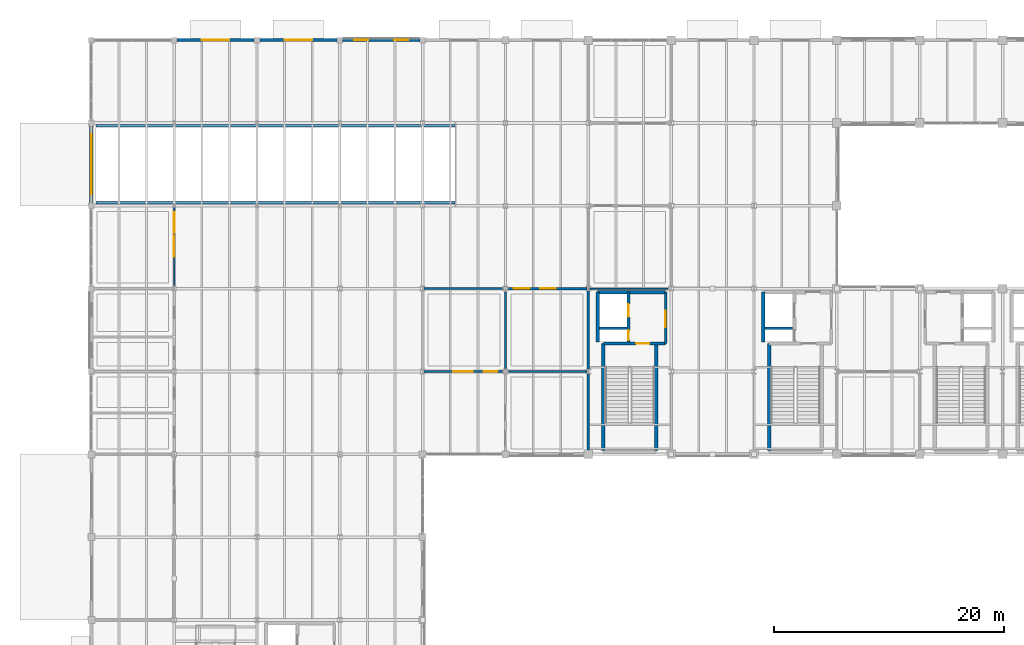
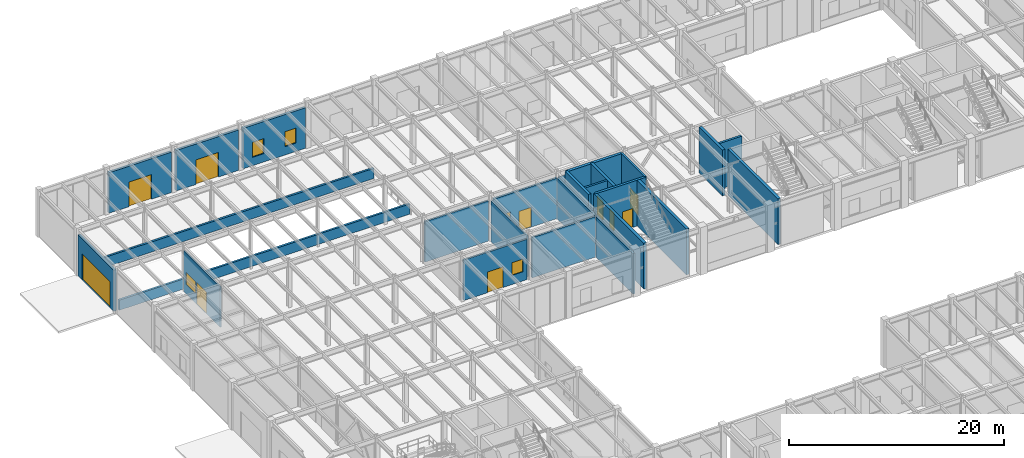
# One storey, part 40 of 97: 26 walls, 10 doors, 5 windows, 15 openings.
"""IFC4 building model written with IfcOpenShell, lengths in metres."""

from ifc_helpers import new_model, si_unit, direction, frame, frame_2d, origin, place, context, subcontext, project, spatial, rectangle, extrude, material, layer, layer_set, type_object, element, fill, save


model = new_model("IFC4")

# Units and contexts
model_context = context("Model", 3, precision=1e-05, world=origin(), true_north=direction((0.0, 1.0)))
body_context = subcontext(model_context, "Body", "Model", "MODEL_VIEW")
ifc_project = project(units=[si_unit("LENGTHUNIT", "METRE"), si_unit("AREAUNIT", "SQUARE_METRE"), si_unit("VOLUMEUNIT", "CUBIC_METRE"), si_unit("PLANEANGLEUNIT", "RADIAN"), si_unit("MASSUNIT", "GRAM", prefix="KILO")], contexts=[model_context])

# Site, building, storey
site_placement = place(None, origin())
site = spatial("IfcSite", under=ifc_project, at=site_placement, CompositionType="ELEMENT")
building_placement = place(site_placement, origin())
building = spatial("IfcBuilding", under=site, at=building_placement, Name="Sillqori Civic Hall", CompositionType="ELEMENT")
storey_placement = place(building_placement, origin())
storey = spatial("IfcBuildingStorey", under=building, at=storey_placement, Name="L01", CompositionType="ELEMENT", Elevation=0.0)

# Wall
ifc_material_1 = material(Name="Concrete C35/45 (H35)", Category="concrete")
ifc_layer_1 = layer(ifc_material_1, 0.219970703125)
ifc_layer_set_1 = layer_set([ifc_layer_1], Name="Concrete C35/45 (H35)")
wall_type_1 = type_object("IfcWallType", Name="CW-SHR-220", PredefinedType="SHEAR", material=ifc_layer_set_1)
wall_1_placement = place(storey_placement, frame((51.35009765625, 90.14990234375, 0.0), z_axis=(0.0, 0.0, 1.0), x_axis=(1.0, 0.0, 0.0)))
element("IfcWall", 1, at=wall_1_placement, inside=storey, type_object=wall_type_1, Name="L01 C5 Lift-riser divider wall", PredefinedType="SHEAR", context=body_context, shape_type="SweptSolid", body=[
    extrude(rectangle(XDim=2.39990234375, YDim=0.219970703125, at=frame_2d((1.199951171875, 0.0))), origin(), (0.0, 0.0, 1.0), 5.199951171875),
])

# Wall, opening, door
wall_2_placement = place(storey_placement, frame((57.1201171875, 93.300048828125, 0.0), z_axis=(0.0, 0.0, 1.0), x_axis=(0.0, -1.0, 0.0)))
wall_2 = element("IfcWall", 2, at=wall_2_placement, inside=storey, type_object=wall_type_1, Name="L01 C5 firefighting lobby enclosure wall", PredefinedType="SHEAR", context=body_context, shape_type="SweptSolid", body=[
    extrude(rectangle(XDim=4.449951171875, YDim=0.219970703125, at=frame_2d((2.22509765625, 0.0))), origin(), (0.0, 0.0, 1.0), 5.199951171875),
])
opening_1_placement = place(wall_2_placement, frame((1.625, 0.0, 0.0)))
opening_1 = element("IfcOpeningElement", 3, at=opening_1_placement, cuts=wall_2, Name="Opening FD-03", PredefinedType="OPENING", context=body_context, shape_type="SweptSolid", body=[
    extrude(rectangle(XDim=1.449951171875, YDim=2.199951171875, at=frame_2d((0.72509765625, 1.10009765625))), frame((0.0, 0.119873046875, 0.0), z_axis=(0.0, -1.0, 0.0), x_axis=(1.0, 0.0, 0.0)), (0.0, 0.0, 1.0), 0.239990234375),
])
ifc_material_2 = material(Name="Double-Leaf Smoke-Seal Lobby Door", Category="steel")
door_type_1 = type_object("IfcDoorType", Name="FDR-LOB-145X220", OperationType="NOTDEFINED", PredefinedType="DOOR", material=ifc_material_2)
door_1_placement = place(opening_1_placement, origin())
door_1 = element("IfcDoor", 4, at=door_1_placement, inside=storey, type_object=door_type_1, Name="L01 C5 firefighting lobby exit door", OperationType="DOUBLE_DOOR_SINGLE_SWING", OverallHeight=2.199951171875, OverallWidth=1.449951171875, PredefinedType="DOOR", context=body_context, shape_type="SweptSolid", body=[
    extrude(rectangle(XDim=1.449951171875, YDim=2.199951171875, at=frame_2d((0.72509765625, 1.10009765625))), frame((0.0, 0.02490234375, 0.0), z_axis=(0.0, -1.0, 0.0), x_axis=(1.0, 0.0, 0.0)), (0.0, 0.0, 1.0), 0.050048828125),
])
fill(opening_1, door_1)

# Wall
wall_3_placement = place(storey_placement, frame((65.75, 90.14990234375, 0.0), z_axis=(0.0, 0.0, 1.0), x_axis=(1.0, 0.0, 0.0)))
element("IfcWall", 5, at=wall_3_placement, inside=storey, type_object=wall_type_1, Name="L01 C6 Lift-riser divider wall", PredefinedType="SHEAR", context=body_context, shape_type="SweptSolid", body=[
    extrude(rectangle(XDim=2.39990234375, YDim=0.219970703125, at=frame_2d((1.199951171875, 0.0))), origin(), (0.0, 0.0, 1.0), 5.199951171875),
])

# Wall, opening, door
ifc_layer_2 = layer(ifc_material_1, 0.260009765625)
ifc_layer_set_2 = layer_set([ifc_layer_2], Name="Concrete C35/45 (H35)")
wall_type_2 = type_object("IfcWallType", Name="CW-SHR-260", PredefinedType="SHEAR", material=ifc_layer_set_2)
wall_4_placement = place(storey_placement, frame((51.7099609375, 88.85009765625, 0.0), z_axis=(0.0, 0.0, 1.0), x_axis=(1.0, 0.0, 0.0)))
wall_4 = element("IfcWall", 6, at=wall_4_placement, inside=storey, type_object=wall_type_2, Name="L01 C5 Stair-lobby fire wall", PredefinedType="SHEAR", context=body_context, shape_type="SweptSolid", body=[
    extrude(rectangle(XDim=5.41015625, YDim=0.260009765625, at=frame_2d((2.705078125, 0.0))), origin(), (0.0, 0.0, 1.0), 5.199951171875),
])
opening_2_placement = place(wall_4_placement, frame((2.840087890625, 0.0, 0.0)))
opening_2 = element("IfcOpeningElement", 7, at=opening_2_placement, cuts=wall_4, Name="Opening FD-01", PredefinedType="OPENING", context=body_context, shape_type="SweptSolid", body=[
    extrude(rectangle(XDim=1.14990234375, YDim=2.14990234375, at=frame_2d((0.574951171875, 1.074951171875))), frame((0.0, 0.139892578125, 0.0), z_axis=(0.0, -1.0, 0.0), x_axis=(1.0, 0.0, 0.0)), (0.0, 0.0, 1.0), 0.280029296875),
])
ifc_material_3 = material(Name="Galvanized Steel Fire Door FD90S", Category="steel")
door_type_2 = type_object("IfcDoorType", Name="FDR-STR-115X215", OperationType="NOTDEFINED", PredefinedType="DOOR", material=ifc_material_3)
door_2_placement = place(opening_2_placement, origin())
door_2 = element("IfcDoor", 8, at=door_2_placement, inside=storey, type_object=door_type_2, Name="L01 stair ST-05 fire door", OperationType="SINGLE_SWING_RIGHT", OverallHeight=2.14990234375, OverallWidth=1.14990234375, PredefinedType="DOOR", context=body_context, shape_type="SweptSolid", body=[
    extrude(rectangle(XDim=1.14990234375, YDim=2.14990234375, at=frame_2d((0.574951171875, 1.074951171875))), frame((0.0, 0.02490234375, 0.0), z_axis=(0.0, -1.0, 0.0), x_axis=(1.0, 0.0, 0.0)), (0.0, 0.0, 1.0), 0.050048828125),
])
fill(opening_2, door_2)

# Wall, openings, doors
wall_5_placement = place(storey_placement, frame((53.89990234375, 93.300048828125, 0.0), z_axis=(0.0, 0.0, 1.0), x_axis=(0.0, -1.0, 0.0)))
wall_5 = element("IfcWall", 9, at=wall_5_placement, inside=storey, type_object=wall_type_2, Name="L01 C5 Lift landing & riser front wall", PredefinedType="SHEAR", context=body_context, shape_type="SweptSolid", body=[
    extrude(rectangle(XDim=4.320068359375, YDim=0.260009765625, at=frame_2d((2.16015625, 0.0))), origin(), (0.0, 0.0, 1.0), 5.199951171875),
])
opening_3_placement = place(wall_5_placement, frame((1.050048828125, 0.0, 0.0)))
opening_3 = element("IfcOpeningElement", 10, at=opening_3_placement, cuts=wall_5, Name="Opening LD-01", PredefinedType="OPENING", context=body_context, shape_type="SweptSolid", body=[
    extrude(rectangle(XDim=1.10009765625, YDim=2.14990234375, at=frame_2d((0.550048828125, 1.074951171875))), frame((0.0, 0.139892578125, 0.0), z_axis=(0.0, -1.0, 0.0), x_axis=(1.0, 0.0, 0.0)), (0.0, 0.0, 1.0), 0.280029296875),
])
opening_4_placement = place(wall_5_placement, frame((3.324951171875, 0.0, 0.0)))
opening_4 = element("IfcOpeningElement", 11, at=opening_4_placement, cuts=wall_5, Name="Opening FD-05", PredefinedType="OPENING", context=body_context, shape_type="SweptSolid", body=[
    extrude(rectangle(XDim=0.85009765625, YDim=2.050048828125, at=frame_2d((0.425048828125, 1.02490234375))), frame((0.0, 0.139892578125, 0.0), z_axis=(0.0, -1.0, 0.0), x_axis=(1.0, 0.0, 0.0)), (0.0, 0.0, 1.0), 0.280029296875),
])
ifc_material_4 = material(Name="Steel Riser Access Fire Door", Category="steel")
door_type_3 = type_object("IfcDoorType", Name="FDR-RSR-085X205", OperationType="NOTDEFINED", PredefinedType="DOOR", material=ifc_material_4)
door_3_placement = place(opening_4_placement, origin())
door_3 = element("IfcDoor", 12, at=door_3_placement, inside=storey, type_object=door_type_3, Name="L01 MEP riser C5 fire access door", OperationType="SINGLE_SWING_LEFT", OverallHeight=2.050048828125, OverallWidth=0.85009765625, PredefinedType="DOOR", context=body_context, shape_type="SweptSolid", body=[
    extrude(rectangle(XDim=0.85009765625, YDim=2.050048828125, at=frame_2d((0.425048828125, 1.02490234375))), frame((0.0, 0.02490234375, 0.0), z_axis=(0.0, -1.0, 0.0), x_axis=(1.0, 0.0, 0.0)), (0.0, 0.0, 1.0), 0.050048828125),
])
fill(opening_4, door_3)
ifc_material_5 = material(Name="Stainless Steel Lift Landing Door", Category="steel")
door_type_4 = type_object("IfcDoorType", Name="LDR-PASS-110X215", OperationType="NOTDEFINED", PredefinedType="DOOR", material=ifc_material_5)
door_4_placement = place(opening_3_placement, origin())
door_4 = element("IfcDoor", 13, at=door_4_placement, inside=storey, type_object=door_type_4, Name="L01 lift LF-03 sliding landing door", OperationType="DOUBLE_DOOR_SLIDING", OverallHeight=2.14990234375, OverallWidth=1.10009765625, PredefinedType="DOOR", context=body_context, shape_type="SweptSolid", body=[
    extrude(rectangle(XDim=1.10009765625, YDim=2.14990234375, at=frame_2d((0.550048828125, 1.074951171875))), frame((0.0, 0.02490234375, 0.0), z_axis=(0.0, -1.0, 0.0), x_axis=(1.0, 0.0, 0.0)), (0.0, 0.0, 1.0), 0.050048828125),
])
fill(opening_3, door_4)

# Walls
ifc_layer_3 = layer(ifc_material_1, 0.300048828125)
ifc_layer_set_3 = layer_set([ifc_layer_3], Name="Concrete C35/45 (H35)")
wall_type_3 = type_object("IfcWallType", Name="CW-SHR-300", PredefinedType="SHEAR", material=ifc_layer_set_3)
for number, where, z_axis, x_axis, name in (
    (14, (51.7099609375, 79.550048828125, 0.0), (0.0, 0.0, 1.0), (0.0, 1.0, 0.0), "L01 C5 Stair west shear wall"),
    (15, (56.2900390625, 79.550048828125, 0.0), (0.0, 0.0, 1.0), (0.0, 1.0, 0.0), "L01 C5 Stair east shear wall"),
):
    element("IfcWall", number, at=place(storey_placement, frame(where, z_axis=z_axis, x_axis=x_axis)), inside=storey, type_object=wall_type_3, Name=name, PredefinedType="SHEAR", context=body_context, shape_type="SweptSolid", body=[
        extrude(rectangle(XDim=9.300048828125, YDim=0.300048828125, at=frame_2d((4.64990234375, 0.0))), origin(), (0.0, 0.0, 1.0), 5.199951171875),
    ])
wall_6_placement = place(storey_placement, frame((51.199951171875, 88.97998046875, 0.0), z_axis=(0.0, 0.0, 1.0), x_axis=(0.0, 1.0, 0.0)))
element("IfcWall", 16, at=wall_6_placement, inside=storey, type_object=wall_type_3, Name="L01 C5 Lift shaft west shear wall", PredefinedType="SHEAR", context=body_context, shape_type="SweptSolid", body=[
    extrude(rectangle(XDim=4.320068359375, YDim=0.300048828125, at=frame_2d((2.16015625, 0.0))), origin(), (0.0, 0.0, 1.0), 5.199951171875),
])
wall_7_placement = place(storey_placement, frame((51.199951171875, 93.300048828125, 0.0), z_axis=(0.0, 0.0, 1.0), x_axis=(1.0, 0.0, 0.0)))
element("IfcWall", 17, at=wall_7_placement, inside=storey, type_object=wall_type_3, Name="L01 C5 Core north shear wall", PredefinedType="SHEAR", context=body_context, shape_type="SweptSolid", body=[
    extrude(rectangle(XDim=5.920166015625, YDim=0.300048828125, at=frame_2d((2.9599609375, 0.0))), origin(), (0.0, 0.0, 1.0), 5.199951171875),
])
wall_8_placement = place(storey_placement, frame((66.110107421875, 79.550048828125, 0.0), z_axis=(0.0, 0.0, 1.0), x_axis=(0.0, 1.0, 0.0)))
element("IfcWall", 18, at=wall_8_placement, inside=storey, type_object=wall_type_3, Name="L01 C6 Stair west shear wall", PredefinedType="SHEAR", context=body_context, shape_type="SweptSolid", body=[
    extrude(rectangle(XDim=9.300048828125, YDim=0.300048828125, at=frame_2d((4.64990234375, 0.0))), origin(), (0.0, 0.0, 1.0), 5.199951171875),
])
wall_9_placement = place(storey_placement, frame((65.60009765625, 88.97998046875, 0.0), z_axis=(0.0, 0.0, 1.0), x_axis=(0.0, 1.0, 0.0)))
element("IfcWall", 19, at=wall_9_placement, inside=storey, type_object=wall_type_3, Name="L01 C6 Lift shaft west shear wall", PredefinedType="SHEAR", context=body_context, shape_type="SweptSolid", body=[
    extrude(rectangle(XDim=4.320068359375, YDim=0.300048828125, at=frame_2d((2.16015625, 0.0))), origin(), (0.0, 0.0, 1.0), 5.199951171875),
])

# Wall, opening, door
ifc_material_6 = material(Name="Precast concrete C40/50 (H40)", Category="concrete")
ifc_layer_4 = layer(ifc_material_6, 0.280029296875)
ifc_layer_set_4 = layer_set([ifc_layer_4], Name="Precast concrete C40/50 (H40)")
wall_type_4 = type_object("IfcWallType", Name="EW-LIME-280", PredefinedType="SOLIDWALL", material=ifc_layer_set_4)
wall_10_placement = place(storey_placement, frame((7.199951171875, 101.050048828125, 0.0), z_axis=(0.0, 0.0, 1.0), x_axis=(0.0, 1.0, 0.0)))
wall_10 = element("IfcWall", 20, at=wall_10_placement, inside=storey, type_object=wall_type_4, Name="L01 V4 exterior wall L01-01-14-W", PredefinedType="SOLIDWALL", context=body_context, shape_type="SweptSolid", body=[
    extrude(rectangle(XDim=6.699951171875, YDim=0.280029296875, at=frame_2d((3.35009765625, 0.0))), origin(), (0.0, 0.0, 1.0), 4.6669921875),
])
opening_5_placement = place(wall_10_placement, frame((0.75, 0.0, 0.0)))
opening_5 = element("IfcOpeningElement", 21, at=opening_5_placement, cuts=wall_10, Name="Opening DG-01", PredefinedType="OPENING", context=body_context, shape_type="SweptSolid", body=[
    extrude(rectangle(XDim=5.199951171875, YDim=2.949951171875, at=frame_2d((2.60009765625, 1.47509765625))), frame((0.0, 0.14990234375, 0.0), z_axis=(0.0, -1.0, 0.0), x_axis=(1.0, 0.0, 0.0)), (0.0, 0.0, 1.0), 0.300048828125),
])
ifc_material_7 = material(Name="Galvanized Insulated Steel", Category="steel")
door_type_5 = type_object("IfcDoorType", Name="GAT-VEHC-520X300", OperationType="NOTDEFINED", PredefinedType="GATE", material=ifc_material_7)
door_5_placement = place(opening_5_placement, origin())
door_5 = element("IfcDoor", 22, at=door_5_placement, inside=storey, type_object=door_type_5, Name="Municipal Car Park Street Entry Gate DG-01", OperationType="ROLLINGUP", OverallHeight=2.949951171875, OverallWidth=5.199951171875, PredefinedType="GATE", context=body_context, shape_type="SweptSolid", body=[
    extrude(rectangle(XDim=5.199951171875, YDim=2.949951171875, at=frame_2d((2.60009765625, 1.47509765625))), frame((0.0, 0.02490234375, 0.0), z_axis=(0.0, -1.0, 0.0), x_axis=(1.0, 0.0, 0.0)), (0.0, 0.0, 1.0), 0.050048828125),
])
fill(opening_5, door_5)

wall_11_placement = place(storey_placement, frame((14.64990234375, 115.199951171875, 0.0), z_axis=(0.0, 0.0, 1.0), x_axis=(1.0, 0.0, 0.0)))
wall_11 = element("IfcWall", 23, at=wall_11_placement, inside=storey, type_object=wall_type_4, Name="L01 V4 exterior wall L01-02-15-N", PredefinedType="SOLIDWALL", context=body_context, shape_type="SweptSolid", body=[
    extrude(rectangle(XDim=6.7001953125, YDim=0.280029296875, at=frame_2d((3.35009765625, 0.0))), origin(), (0.0, 0.0, 1.0), 4.597900390625),
])
opening_6_placement = place(wall_11_placement, frame((2.14990234375, 0.0, 0.0)))
opening_6 = element("IfcOpeningElement", 24, at=opening_6_placement, cuts=wall_11, Name="Opening ED-01", PredefinedType="OPENING", context=body_context, shape_type="SweptSolid", body=[
    extrude(rectangle(XDim=2.39990234375, YDim=2.800048828125, at=frame_2d((1.199951171875, 1.39990234375))), frame((0.0, 0.14990234375, 0.0), z_axis=(0.0, -1.0, 0.0), x_axis=(1.0, 0.0, 0.0)), (0.0, 0.0, 1.0), 0.300048828125),
])
ifc_material_8 = material(Name="Thermally Broken Anodized Aluminium and Laminated Glass", Category="aluminium")
door_type_6 = type_object("IfcDoorType", Name="EDR-MAIN-240X280", OperationType="NOTDEFINED", PredefinedType="DOOR", material=ifc_material_8)
door_6_placement = place(opening_6_placement, origin())
door_6 = element("IfcDoor", 25, at=door_6_placement, inside=storey, type_object=door_type_6, Name="North Civic Garden Far West Exit", OperationType="DOUBLE_DOOR_SINGLE_SWING", OverallHeight=2.800048828125, OverallWidth=2.39990234375, PredefinedType="DOOR", context=body_context, shape_type="SweptSolid", body=[
    extrude(rectangle(XDim=2.39990234375, YDim=2.800048828125, at=frame_2d((1.199951171875, 1.39990234375))), frame((0.0, 0.02490234375, 0.0), z_axis=(0.0, -1.0, 0.0), x_axis=(1.0, 0.0, 0.0)), (0.0, 0.0, 1.0), 0.050048828125),
])
fill(opening_6, door_6)

wall_12_placement = place(storey_placement, frame((21.85009765625, 115.199951171875, 0.0), z_axis=(0.0, 0.0, 1.0), x_axis=(1.0, 0.0, 0.0)))
wall_12 = element("IfcWall", 26, at=wall_12_placement, inside=storey, type_object=wall_type_4, Name="L01 V4 exterior wall L01-03-15-N", PredefinedType="SOLIDWALL", context=body_context, shape_type="SweptSolid", body=[
    extrude(rectangle(XDim=6.699951171875, YDim=0.280029296875, at=frame_2d((3.35009765625, 0.0))), origin(), (0.0, 0.0, 1.0), 4.597900390625),
])
opening_7_placement = place(wall_12_placement, frame((2.14990234375, 0.0, 0.0)))
opening_7 = element("IfcOpeningElement", 27, at=opening_7_placement, cuts=wall_12, Name="Opening ED-01", PredefinedType="OPENING", context=body_context, shape_type="SweptSolid", body=[
    extrude(rectangle(XDim=2.39990234375, YDim=2.800048828125, at=frame_2d((1.199951171875, 1.39990234375))), frame((0.0, 0.14990234375, 0.0), z_axis=(0.0, -1.0, 0.0), x_axis=(1.0, 0.0, 0.0)), (0.0, 0.0, 1.0), 0.300048828125),
])
door_7_placement = place(opening_7_placement, origin())
door_7 = element("IfcDoor", 28, at=door_7_placement, inside=storey, type_object=door_type_6, Name="North Civic Garden West Exit", OperationType="DOUBLE_DOOR_SINGLE_SWING", OverallHeight=2.800048828125, OverallWidth=2.39990234375, PredefinedType="DOOR", context=body_context, shape_type="SweptSolid", body=[
    extrude(rectangle(XDim=2.39990234375, YDim=2.800048828125, at=frame_2d((1.199951171875, 1.39990234375))), frame((0.0, 0.02490234375, 0.0), z_axis=(0.0, -1.0, 0.0), x_axis=(1.0, 0.0, 0.0)), (0.0, 0.0, 1.0), 0.050048828125),
])
fill(opening_7, door_7)

# Wall, openings, windows
wall_13_placement = place(storey_placement, frame((29.050048828125, 115.199951171875, 0.0), z_axis=(0.0, 0.0, 1.0), x_axis=(1.0, 0.0, 0.0)))
wall_13 = element("IfcWall", 29, at=wall_13_placement, inside=storey, type_object=wall_type_4, Name="L01 V4 exterior wall L01-04-15-N", PredefinedType="SOLIDWALL", context=body_context, shape_type="SweptSolid", body=[
    extrude(rectangle(XDim=6.699951171875, YDim=0.280029296875, at=frame_2d((3.35009765625, 0.0))), origin(), (0.0, 0.0, 1.0), 4.597900390625),
])
opening_8_placement = place(wall_13_placement, frame((1.008056640625, 0.0, 0.949951171875)))
opening_8 = element("IfcOpeningElement", 30, at=opening_8_placement, cuts=wall_13, Name="Opening W-22", PredefinedType="OPENING", context=body_context, shape_type="SweptSolid", body=[
    extrude(rectangle(XDim=1.199951171875, YDim=1.699951171875, at=frame_2d((0.60009765625, 0.85009765625))), frame((0.0, 0.14990234375, 0.0), z_axis=(0.0, -1.0, 0.0), x_axis=(1.0, 0.0, 0.0)), (0.0, 0.0, 1.0), 0.300048828125),
])
opening_9_placement = place(wall_13_placement, frame((4.491943359375, 0.0, 0.949951171875)))
opening_9 = element("IfcOpeningElement", 31, at=opening_9_placement, cuts=wall_13, Name="Opening W-22", PredefinedType="OPENING", context=body_context, shape_type="SweptSolid", body=[
    extrude(rectangle(XDim=1.199951171875, YDim=1.699951171875, at=frame_2d((0.60009765625, 0.85009765625))), frame((0.0, 0.14990234375, 0.0), z_axis=(0.0, -1.0, 0.0), x_axis=(1.0, 0.0, 0.0)), (0.0, 0.0, 1.0), 0.300048828125),
])
ifc_material_9 = material(Name="Thermally Broken Aluminium Low-E Window", Category="aluminium")
window_type_1 = type_object("IfcWindowType", Name="WIN-V5-120X170", PartitioningType="SINGLE_PANEL", PredefinedType="WINDOW", material=ifc_material_9)
window_1_placement = place(opening_8_placement, origin())
window_1 = element("IfcWindow", 32, at=window_1_placement, inside=storey, type_object=window_type_1, Name="L01 V4 window L01-04-15-N.1", OverallHeight=1.699951171875, OverallWidth=1.199951171875, PartitioningType="SINGLE_PANEL", PredefinedType="WINDOW", context=body_context, shape_type="SweptSolid", body=[
    extrude(rectangle(XDim=1.199951171875, YDim=1.699951171875, at=frame_2d((0.60009765625, 0.85009765625))), frame((0.0, 0.030029296875, 0.0), z_axis=(0.0, -1.0, 0.0), x_axis=(1.0, 0.0, 0.0)), (0.0, 0.0, 1.0), 0.06005859375),
])
fill(opening_8, window_1)
window_2_placement = place(opening_9_placement, origin())
window_2 = element("IfcWindow", 33, at=window_2_placement, inside=storey, type_object=window_type_1, Name="L01 V4 window L01-04-15-N.2", OverallHeight=1.699951171875, OverallWidth=1.199951171875, PartitioningType="SINGLE_PANEL", PredefinedType="WINDOW", context=body_context, shape_type="SweptSolid", body=[
    extrude(rectangle(XDim=1.199951171875, YDim=1.699951171875, at=frame_2d((0.60009765625, 0.85009765625))), frame((0.0, 0.030029296875, 0.0), z_axis=(0.0, -1.0, 0.0), x_axis=(1.0, 0.0, 0.0)), (0.0, 0.0, 1.0), 0.06005859375),
])
fill(opening_9, window_2)

# Wall
ifc_material_10 = material(Name="Framed Acoustic Glazed Office Screen 106", Category="glass")
ifc_layer_5 = layer(ifc_material_10, 0.10595703125)
ifc_layer_set_5 = layer_set([ifc_layer_5], Name="Framed Acoustic Glazed Office Screen 106")
wall_type_5 = type_object("IfcWallType", Name="PT-GLZ-106", PredefinedType="PARTITIONING", material=ifc_layer_set_5)
wall_14_placement = place(storey_placement, frame((57.320068359375, 93.60009765625, 0.0), z_axis=(0.0, 0.0, 1.0), x_axis=(-1.0, 0.0, 0.0)))
element("IfcWall", 34, at=wall_14_placement, inside=storey, type_object=wall_type_5, Name="Municipal Cadastre Public Counter L01-05 partition S2", PredefinedType="PARTITIONING", context=body_context, shape_type="SweptSolid", body=[
    extrude(rectangle(XDim=6.800048828125, YDim=0.10595703125, at=frame_2d((3.39990234375, 0.0))), origin(), (0.0, 0.0, 1.0), 4.587890625),
])

# Wall, openings, door, window
ifc_material_11 = material(Name="Corridor Fire-Rated Partition 150", Category="gypsum")
ifc_layer_6 = layer(ifc_material_11, 0.14990234375)
ifc_layer_set_6 = layer_set([ifc_layer_6], Name="Corridor Fire-Rated Partition 150")
wall_type_6 = type_object("IfcWallType", Name="PT-GYP-150", PredefinedType="PARTITIONING", material=ifc_layer_set_6)
wall_15_placement = place(storey_placement, frame((14.39990234375, 100.679931640625, 0.0), z_axis=(0.0, 0.0, 1.0), x_axis=(0.0, -1.0, 0.0)))
wall_15 = element("IfcWall", 35, at=wall_15_placement, inside=storey, type_object=wall_type_6, Name="Municipal Cadastre Public Counter partition E1", PredefinedType="PARTITIONING", context=body_context, shape_type="SweptSolid", body=[
    extrude(rectangle(XDim=6.800048828125, YDim=0.14990234375, at=frame_2d((3.39990234375, 0.0))), origin(), (0.0, 0.0, 1.0), 4.587890625),
])
opening_10_placement = place(wall_15_placement, frame((2.47509765625, 0.0, 0.0)))
opening_10 = element("IfcOpeningElement", 36, at=opening_10_placement, cuts=wall_15, Name="Opening ID-05", PredefinedType="OPENING", context=body_context, shape_type="SweptSolid", body=[
    extrude(rectangle(XDim=1.85009765625, YDim=2.449951171875, at=frame_2d((0.925048828125, 1.22509765625))), frame((0.0, 0.0849609375, 0.0), z_axis=(0.0, -1.0, 0.0), x_axis=(1.0, 0.0, 0.0)), (0.0, 0.0, 1.0), 0.169921875),
])
opening_11_placement = place(wall_15_placement, frame((0.449951171875, 0.0, 1.050048828125)))
opening_11 = element("IfcOpeningElement", 37, at=opening_11_placement, cuts=wall_15, Name="Opening IW-43", PredefinedType="OPENING", context=body_context, shape_type="SweptSolid", body=[
    extrude(rectangle(XDim=1.780029296875, YDim=1.3798828125, at=frame_2d((0.89013671875, 0.68994140625))), frame((0.0, 0.0849609375, 0.0), z_axis=(0.0, -1.0, 0.0), x_axis=(1.0, 0.0, 0.0)), (0.0, 0.0, 1.0), 0.169921875),
])
ifc_material_12 = material(Name="Citizens Counter Glazed Double Door", Category="aluminium")
door_type_7 = type_object("IfcDoorType", Name="IDR-CSC-185X245", OperationType="NOTDEFINED", PredefinedType="DOOR", material=ifc_material_12)
door_8_placement = place(opening_10_placement, origin())
door_8 = element("IfcDoor", 38, at=door_8_placement, inside=storey, type_object=door_type_7, Name="Municipal Cadastre Public Counter entrance door", OperationType="DOUBLE_DOOR_SINGLE_SWING", OverallHeight=2.449951171875, OverallWidth=1.85009765625, PredefinedType="DOOR", context=body_context, shape_type="SweptSolid", body=[
    extrude(rectangle(XDim=1.85009765625, YDim=2.449951171875, at=frame_2d((0.925048828125, 1.22509765625))), frame((0.0, 0.02490234375, 0.0), z_axis=(0.0, -1.0, 0.0), x_axis=(1.0, 0.0, 0.0)), (0.0, 0.0, 1.0), 0.050048828125),
])
fill(opening_10, door_8)
ifc_material_13 = material(Name="Acoustic Laminated Interior Clerestory Glazing", Category="glass")
window_type_2 = type_object("IfcWindowType", Name="IWN-GAL-178X138", PartitioningType="SINGLE_PANEL", PredefinedType="WINDOW", material=ifc_material_13)
window_3_placement = place(opening_11_placement, origin())
window_3 = element("IfcWindow", 39, at=window_3_placement, inside=storey, type_object=window_type_2, Name="Municipal Cadastre Public Counter borrowed-light screen", OverallHeight=1.3798828125, OverallWidth=1.780029296875, PartitioningType="SINGLE_PANEL", PredefinedType="WINDOW", context=body_context, shape_type="SweptSolid", body=[
    extrude(rectangle(XDim=1.780029296875, YDim=1.3798828125, at=frame_2d((0.89013671875, 0.68994140625))), frame((0.0, 0.030029296875, 0.0), z_axis=(0.0, -1.0, 0.0), x_axis=(1.0, 0.0, 0.0)), (0.0, 0.0, 1.0), 0.06005859375),
])
fill(opening_11, window_3)

ifc_material_14 = material(Name="Concrete C25/30 (H25)", Category="concrete")
ifc_layer_7 = layer(ifc_material_14, 0.18994140625)
ifc_layer_set_7 = layer_set([ifc_layer_7], Name="Concrete C25/30 (H25)")
wall_type_7 = type_object("IfcWallType", Name="PT-MAS-190", PredefinedType="PARTITIONING", material=ifc_layer_set_7)
wall_16_placement = place(storey_placement, frame((42.919921875, 86.39990234375, 0.0), z_axis=(0.0, 0.0, 1.0), x_axis=(-1.0, 0.0, 0.0)))
wall_16 = element("IfcWall", 40, at=wall_16_placement, inside=storey, type_object=wall_type_7, Name="Business Licensing Intake Hall partition S1", PredefinedType="PARTITIONING", context=body_context, shape_type="SweptSolid", body=[
    extrude(rectangle(XDim=6.7998046875, YDim=0.18994140625, at=frame_2d((3.39990234375, 0.0))), origin(), (0.0, 0.0, 1.0), 4.587890625),
])
opening_12_placement = place(wall_16_placement, frame((2.550048828125, 0.0, 0.0)))
opening_12 = element("IfcOpeningElement", 41, at=opening_12_placement, cuts=wall_16, Name="Opening ID-06", PredefinedType="OPENING", context=body_context, shape_type="SweptSolid", body=[
    extrude(rectangle(XDim=1.699951171875, YDim=2.35009765625, at=frame_2d((0.85009765625, 1.175048828125))), frame((0.0, 0.10498046875, 0.0), z_axis=(0.0, -1.0, 0.0), x_axis=(1.0, 0.0, 0.0)), (0.0, 0.0, 1.0), 0.2099609375),
])
opening_13_placement = place(wall_16_placement, frame((0.449951171875, 0.0, 1.050048828125)))
opening_13 = element("IfcOpeningElement", 42, at=opening_13_placement, cuts=wall_16, Name="Opening IW-46", PredefinedType="OPENING", context=body_context, shape_type="SweptSolid", body=[
    extrude(rectangle(XDim=1.179931640625, YDim=1.43994140625, at=frame_2d((0.58984375, 0.719970703125))), frame((0.0, 0.10498046875, 0.0), z_axis=(0.0, -1.0, 0.0), x_axis=(1.0, 0.0, 0.0)), (0.0, 0.0, 1.0), 0.2099609375),
])
ifc_material_15 = material(Name="Revenue Hall Glazed Double Door", Category="aluminium")
door_type_8 = type_object("IfcDoorType", Name="IDR-CSC-170X235", OperationType="NOTDEFINED", PredefinedType="DOOR", material=ifc_material_15)
door_9_placement = place(opening_12_placement, origin())
door_9 = element("IfcDoor", 43, at=door_9_placement, inside=storey, type_object=door_type_8, Name="Business Licensing Intake Hall entrance door", OperationType="DOUBLE_DOOR_SINGLE_SWING", OverallHeight=2.35009765625, OverallWidth=1.699951171875, PredefinedType="DOOR", context=body_context, shape_type="SweptSolid", body=[
    extrude(rectangle(XDim=1.699951171875, YDim=2.35009765625, at=frame_2d((0.85009765625, 1.175048828125))), frame((0.0, 0.02490234375, 0.0), z_axis=(0.0, -1.0, 0.0), x_axis=(1.0, 0.0, 0.0)), (0.0, 0.0, 1.0), 0.050048828125),
])
fill(opening_12, door_9)
window_type_3 = type_object("IfcWindowType", Name="IWN-GAL-118X144", PartitioningType="SINGLE_PANEL", PredefinedType="WINDOW", material=ifc_material_13)
window_4_placement = place(opening_13_placement, origin())
window_4 = element("IfcWindow", 44, at=window_4_placement, inside=storey, type_object=window_type_3, Name="Business Licensing Intake Hall borrowed-light screen", OverallHeight=1.43994140625, OverallWidth=1.179931640625, PartitioningType="SINGLE_PANEL", PredefinedType="WINDOW", context=body_context, shape_type="SweptSolid", body=[
    extrude(rectangle(XDim=1.179931640625, YDim=1.43994140625, at=frame_2d((0.58984375, 0.719970703125))), frame((0.0, 0.030029296875, 0.0), z_axis=(0.0, -1.0, 0.0), x_axis=(1.0, 0.0, 0.0)), (0.0, 0.0, 1.0), 0.06005859375),
])
fill(opening_13, window_4)

# Walls
wall_17_placement = place(storey_placement, frame((36.1201171875, 93.60009765625, 0.0), z_axis=(0.0, 0.0, 1.0), x_axis=(1.0, 0.0, 0.0)))
element("IfcWall", 45, at=wall_17_placement, inside=storey, type_object=wall_type_7, Name="Business Licensing Intake Hall partition N2", PredefinedType="PARTITIONING", context=body_context, shape_type="SweptSolid", body=[
    extrude(rectangle(XDim=6.7998046875, YDim=0.18994140625, at=frame_2d((3.39990234375, 0.0))), origin(), (0.0, 0.0, 1.0), 4.587890625),
])
wall_18_placement = place(storey_placement, frame((43.199951171875, 93.320068359375, 0.0), z_axis=(0.0, 0.0, 1.0), x_axis=(0.0, -1.0, 0.0)))
element("IfcWall", 46, at=wall_18_placement, inside=storey, type_object=wall_type_7, Name="Business Licensing Intake Hall partition E4", PredefinedType="PARTITIONING", context=body_context, shape_type="SweptSolid", body=[
    extrude(rectangle(XDim=6.64013671875, YDim=0.18994140625, at=frame_2d((3.320068359375, 0.0))), origin(), (0.0, 0.0, 1.0), 4.656982421875),
])
ifc_layer_8 = layer(ifc_material_14, 0.205078125)
ifc_layer_set_8 = layer_set([ifc_layer_8], Name="Concrete C25/30 (H25)")
wall_type_8 = type_object("IfcWallType", Name="PT-MAS-205", PredefinedType="PARTITIONING", material=ifc_layer_set_8)
wall_19_placement = place(storey_placement, frame((43.47998046875, 86.39990234375, 0.0), z_axis=(0.0, 0.0, 1.0), x_axis=(1.0, 0.0, 0.0)))
element("IfcWall", 47, at=wall_19_placement, inside=storey, type_object=wall_type_8, Name="Social Services Citizen Advisory Suite partition N2", PredefinedType="PARTITIONING", context=body_context, shape_type="SweptSolid", body=[
    extrude(rectangle(XDim=6.800048828125, YDim=0.205078125, at=frame_2d((3.39990234375, 0.0))), origin(), (0.0, 0.0, 1.0), 4.587890625),
])
wall_20_placement = place(storey_placement, frame((50.39990234375, 86.280029296875, 0.0), z_axis=(0.0, 0.0, 1.0), x_axis=(0.0, -1.0, 0.0)))
element("IfcWall", 48, at=wall_20_placement, inside=storey, type_object=wall_type_8, Name="Social Services Citizen Advisory Suite partition E3", PredefinedType="PARTITIONING", context=body_context, shape_type="SweptSolid", body=[
    extrude(rectangle(XDim=6.9599609375, YDim=0.205078125, at=frame_2d((3.47998046875, 0.0))), origin(), (0.0, 0.0, 1.0), 4.587890625),
])

# Wall, openings, door, window
ifc_layer_9 = layer(ifc_material_14, 0.219970703125)
ifc_layer_set_9 = layer_set([ifc_layer_9], Name="Concrete C25/30 (H25)")
wall_type_9 = type_object("IfcWallType", Name="PT-MAS-220", PredefinedType="PARTITIONING", material=ifc_layer_set_9)
wall_21_placement = place(storey_placement, frame((43.47998046875, 93.60009765625, 0.0), z_axis=(0.0, 0.0, 1.0), x_axis=(1.0, 0.0, 0.0)))
wall_21 = element("IfcWall", 49, at=wall_21_placement, inside=storey, type_object=wall_type_9, Name="Ombudsman Public Consultation Room partition N1", PredefinedType="PARTITIONING", context=body_context, shape_type="SweptSolid", body=[
    extrude(rectangle(XDim=6.800048828125, YDim=0.219970703125, at=frame_2d((3.39990234375, 0.0))), origin(), (0.0, 0.0, 1.0), 4.587890625),
])
opening_14_placement = place(wall_21_placement, frame((2.719970703125, 0.0, 0.0)))
opening_14 = element("IfcOpeningElement", 50, at=opening_14_placement, cuts=wall_21, Name="Opening ID-33", PredefinedType="OPENING", context=body_context, shape_type="SweptSolid", body=[
    extrude(rectangle(XDim=1.360107421875, YDim=2.239990234375, at=frame_2d((0.68017578125, 1.1201171875))), frame((0.0, 0.119873046875, 0.0), z_axis=(0.0, -1.0, 0.0), x_axis=(1.0, 0.0, 0.0)), (0.0, 0.0, 1.0), 0.239990234375),
])
opening_15_placement = place(wall_21_placement, frame((0.449951171875, 0.0, 1.050048828125)))
opening_15 = element("IfcOpeningElement", 51, at=opening_15_placement, cuts=wall_21, Name="Opening IW-48", PredefinedType="OPENING", context=body_context, shape_type="SweptSolid", body=[
    extrude(rectangle(XDim=1.3798828125, YDim=1.43994140625, at=frame_2d((0.68994140625, 0.719970703125))), frame((0.0, 0.119873046875, 0.0), z_axis=(0.0, -1.0, 0.0), x_axis=(1.0, 0.0, 0.0)), (0.0, 0.0, 1.0), 0.239990234375),
])
ifc_material_16 = material(Name="Cadastre Studio Door 1360", Category="timber")
door_type_9 = type_object("IfcDoorType", Name="IDR-DIR-136X224", OperationType="NOTDEFINED", PredefinedType="DOOR", material=ifc_material_16)
door_10_placement = place(opening_14_placement, origin())
door_10 = element("IfcDoor", 52, at=door_10_placement, inside=storey, type_object=door_type_9, Name="Ombudsman Public Consultation Room entrance door", OperationType="SINGLE_SWING_RIGHT", OverallHeight=2.239990234375, OverallWidth=1.360107421875, PredefinedType="DOOR", context=body_context, shape_type="SweptSolid", body=[
    extrude(rectangle(XDim=1.360107421875, YDim=2.239990234375, at=frame_2d((0.68017578125, 1.1201171875))), frame((0.0, 0.02490234375, 0.0), z_axis=(0.0, -1.0, 0.0), x_axis=(1.0, 0.0, 0.0)), (0.0, 0.0, 1.0), 0.050048828125),
])
fill(opening_14, door_10)
window_type_4 = type_object("IfcWindowType", Name="IWN-GAL-138X144", PartitioningType="SINGLE_PANEL", PredefinedType="WINDOW", material=ifc_material_13)
window_5_placement = place(opening_15_placement, origin())
window_5 = element("IfcWindow", 53, at=window_5_placement, inside=storey, type_object=window_type_4, Name="Ombudsman Public Consultation Room borrowed-light screen", OverallHeight=1.43994140625, OverallWidth=1.3798828125, PartitioningType="SINGLE_PANEL", PredefinedType="WINDOW", context=body_context, shape_type="SweptSolid", body=[
    extrude(rectangle(XDim=1.3798828125, YDim=1.43994140625, at=frame_2d((0.68994140625, 0.719970703125))), frame((0.0, 0.030029296875, 0.0), z_axis=(0.0, -1.0, 0.0), x_axis=(1.0, 0.0, 0.0)), (0.0, 0.0, 1.0), 0.06005859375),
])
fill(opening_15, window_5)

# Walls
wall_22_placement = place(storey_placement, frame((50.39990234375, 93.47998046875, 0.0), z_axis=(0.0, 0.0, 1.0), x_axis=(0.0, -1.0, 0.0)))
element("IfcWall", 54, at=wall_22_placement, inside=storey, type_object=wall_type_9, Name="Ombudsman Public Consultation Room partition E4", PredefinedType="PARTITIONING", context=body_context, shape_type="SweptSolid", body=[
    extrude(rectangle(XDim=6.9599609375, YDim=0.219970703125, at=frame_2d((3.47998046875, 0.0))), origin(), (0.0, 0.0, 1.0), 4.587890625),
])
ifc_layer_10 = layer(ifc_material_6, 0.219970703125)
ifc_layer_set_10 = layer_set([ifc_layer_10], Name="Precast concrete C40/50 (H40)")
wall_type_10 = type_object("IfcWallType", Name="WP-PAR-220", PredefinedType="PARAPET", material=ifc_layer_set_10)
for number, where, z_axis, x_axis, name in (
    (55, (7.60009765625, 101.06005859375, 0.0), (0.0, 0.0, 1.0), (1.0, 0.0, 0.0), "L01 vehicle ramp well guard wall S"),
    (56, (7.60009765625, 107.739990234375, 0.0), (0.0, 0.0, 1.0), (1.0, 0.0, 0.0), "L01 vehicle ramp well guard wall N"),
):
    element("IfcWall", number, at=place(storey_placement, frame(where, z_axis=z_axis, x_axis=x_axis)), inside=storey, type_object=wall_type_10, Name=name, PredefinedType="PARAPET", context=body_context, shape_type="SweptSolid", body=[
        extrude(rectangle(XDim=31.199951171875, YDim=0.219970703125, at=frame_2d((15.60009765625, 0.0))), origin(), (0.0, 0.0, 1.0), 1.14990234375),
    ])

save(model, "model.ifc")
